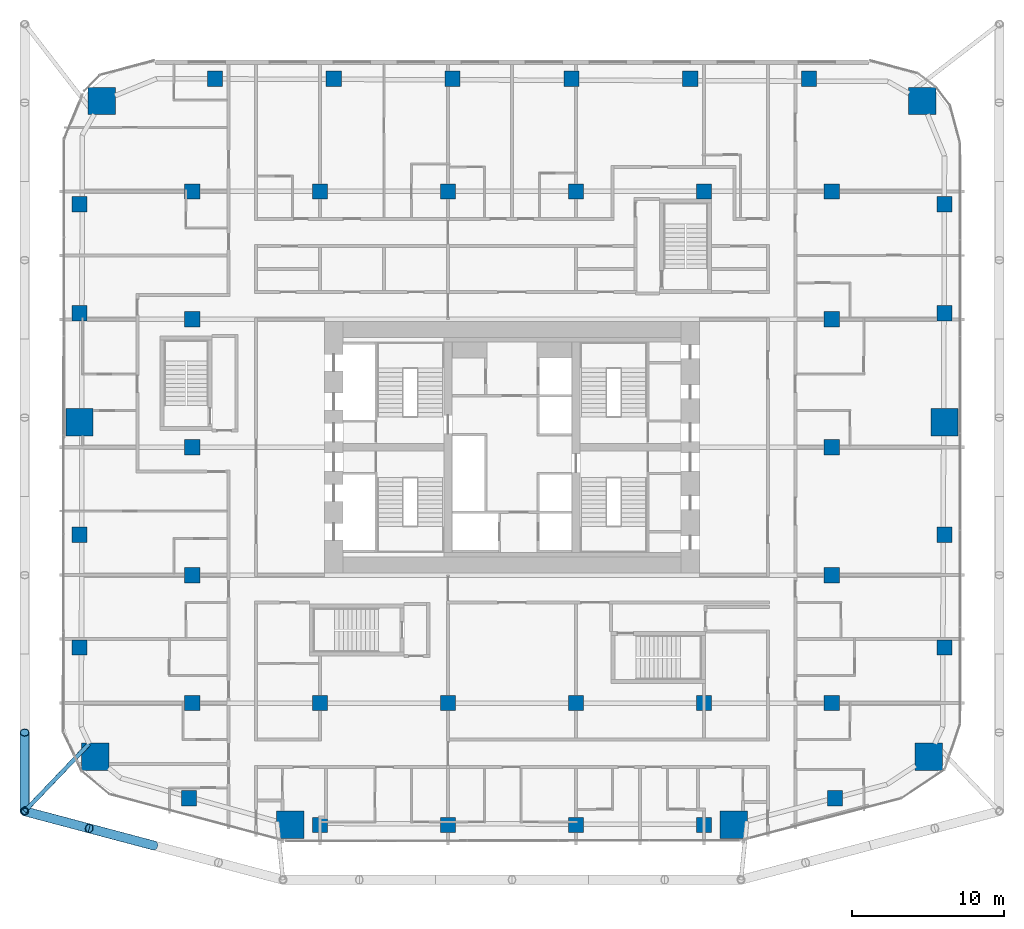
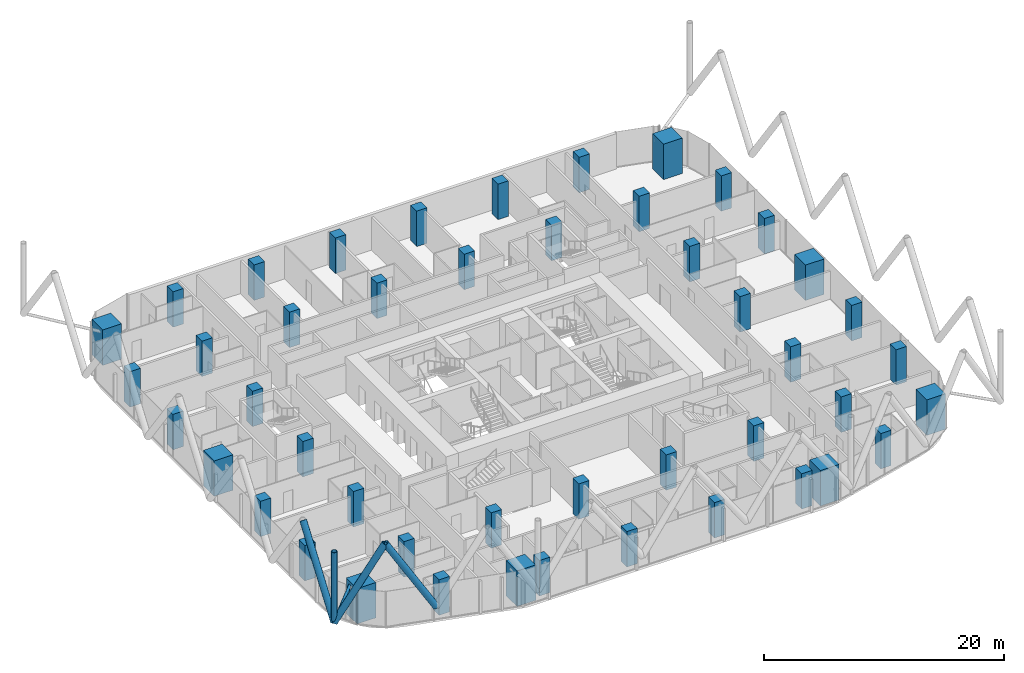
# One storey, part 1 of 34: 46 columns, 5 members.
"""IFC4 building model written with IfcOpenShell, lengths in metres."""

from ifc_helpers import new_model, si_unit, direction, frame, origin, origin_2d, place, context, subcontext, project, spatial, rectangle, hollow_circle, extrude, material, material_profile, profile_set, type_object, element, save


model = new_model("IFC4")

# Units and contexts
model_context = context("Model", 3, precision=1e-05, world=origin(), true_north=direction((0.0, 1.0)))
body_context = subcontext(model_context, "Body", "Model", "MODEL_VIEW")
ifc_project = project(units=[si_unit("LENGTHUNIT", "METRE"), si_unit("AREAUNIT", "SQUARE_METRE"), si_unit("VOLUMEUNIT", "CUBIC_METRE"), si_unit("PLANEANGLEUNIT", "RADIAN"), si_unit("MASSUNIT", "GRAM", prefix="KILO")], contexts=[model_context])

# Site, building, storey
site_placement = place(None, origin())
site = spatial("IfcSite", under=ifc_project, at=site_placement, CompositionType="ELEMENT")
building_placement = place(site_placement, origin())
building = spatial("IfcBuilding", under=site, at=building_placement, Name="Marenta Gate Hotel Tower", CompositionType="ELEMENT")
storey_placement = place(building_placement, frame((0.0, 0.0, 76.10009765625)))
storey = spatial("IfcBuildingStorey", under=building, at=storey_placement, Name="L17", CompositionType="ELEMENT", Elevation=76.10009765625)

# Columns
ifc_material_1 = material(Name="Concrete C80", Category="concrete")
ifc_material_profile_1 = material_profile(ifc_material_1, rectangle(XDim=1.0, YDim=1.0, at=origin_2d()), Name="1000 x 1000")
ifc_profile_set_1 = profile_set([ifc_material_profile_1], Name="Concrete C80")
column_type_1 = type_object("IfcColumnType", Name="Edge column 1000 x 1000 C80", PredefinedType="COLUMN", material=ifc_profile_set_1)
for number, where, z_axis, x_axis, name in (
    (1, (-28.39990234375, -4.751953125, 0.0), (0.0, 0.0, 1.0), (1.0, 0.0, 0.0), "L17-EC-SW-W-1"),
    (2, (-28.39990234375, 2.649169921875, 0.0), (0.0, 0.0, 1.0), (1.0, 0.0, 0.0), "L17-EC-SW-W-2"),
    (3, (-28.39990234375, 17.203125, 0.0), (0.0, 0.0, 1.0), (1.0, 0.0, 0.0), "L17-EC-W-NW-1"),
    (4, (-28.39990234375, 24.3564453125, 0.0), (0.0, 0.0, 1.0), (1.0, 0.0, 0.0), "L17-EC-W-NW-2"),
    (5, (-19.5068359375, 32.60009765625, 0.0), (0.0, 0.0, 1.0), (1.0, 0.0, 0.0), "L17-EC-NW-NE-1"),
    (6, (-11.7041015625, 32.60009765625, 0.0), (0.0, 0.0, 1.0), (1.0, 0.0, 0.0), "L17-EC-NW-NE-2"),
    (7, (-3.9013671875, 32.60009765625, 0.0), (0.0, 0.0, 1.0), (1.0, 0.0, 0.0), "L17-EC-NW-NE-3"),
    (8, (3.9013671875, 32.60009765625, 0.0), (0.0, 0.0, 1.0), (1.0, 0.0, 0.0), "L17-EC-NW-NE-4"),
    (9, (11.7041015625, 32.60009765625, 0.0), (0.0, 0.0, 1.0), (1.0, 0.0, 0.0), "L17-EC-NW-NE-5"),
    (10, (19.5068359375, 32.60009765625, 0.0), (0.0, 0.0, 1.0), (1.0, 0.0, 0.0), "L17-EC-NW-NE-6"),
    (11, (28.39990234375, 24.3564453125, 0.0), (0.0, 0.0, 1.0), (1.0, 0.0, 0.0), "L17-EC-NE-E-1"),
    (12, (28.39990234375, 17.203125, 0.0), (0.0, 0.0, 1.0), (1.0, 0.0, 0.0), "L17-EC-NE-E-2"),
    (13, (28.39990234375, 2.649169921875, 0.0), (0.0, 0.0, 1.0), (1.0, 0.0, 0.0), "L17-EC-E-SE-1"),
    (14, (28.39990234375, -4.751953125, 0.0), (0.0, 0.0, 1.0), (1.0, 0.0, 0.0), "L17-EC-E-SE-2"),
    (15, (21.206787109375, -14.63916015625, 0.0), (0.0, 0.0, 1.0), (1.0, 0.0, 0.0), "L17-EC-SE-SKE-1"),
    (16, (12.60009765625, -16.39990234375, 0.0), (0.0, 0.0, 1.0), (1.0, 0.0, 0.0), "L17-EC-SKE-SKW-1"),
    (17, (4.199951171875, -16.39990234375, 0.0), (0.0, 0.0, 1.0), (1.0, 0.0, 0.0), "L17-EC-SKE-SKW-2"),
    (18, (-4.199951171875, -16.39990234375, 0.0), (0.0, 0.0, 1.0), (1.0, 0.0, 0.0), "L17-EC-SKE-SKW-3"),
    (19, (-12.60009765625, -16.39990234375, 0.0), (0.0, 0.0, 1.0), (1.0, 0.0, 0.0), "L17-EC-SKE-SKW-4"),
    (20, (-21.206787109375, -14.63916015625, 0.0), (0.0, 0.0, 1.0), (1.0, 0.0, 0.0), "L17-EC-SKW-SW-1"),
):
    element("IfcColumn", number, at=place(storey_placement, frame(where, z_axis=z_axis, x_axis=x_axis)), inside=storey, type_object=column_type_1, Name=name, PredefinedType="COLUMN", context=body_context, shape_type="SweptSolid", body=[
        extrude(rectangle(XDim=1.0, YDim=1.0, at=origin_2d()), origin(), (0.0, 0.0, 1.0), 3.599853515625),
    ])
ifc_material_2 = material(Name="Concrete C80", Category="concrete")
ifc_material_profile_2 = material_profile(ifc_material_2, rectangle(XDim=1.0, YDim=1.0, at=origin_2d()), Name="1000 x 1000")
ifc_profile_set_2 = profile_set([ifc_material_profile_2], Name="Concrete C80")
column_type_2 = type_object("IfcColumnType", Name="Interior column 1000 x 1000 C80", PredefinedType="COLUMN", material=ifc_profile_set_2)
for number, where, z_axis, x_axis, name in (
    (21, (-21.0, -8.39990234375, 0.0), (0.0, 0.0, 1.0), (1.0, 0.0, 0.0), "L17-IC-4E"),
    (22, (-21.0, 0.0, 0.0), (0.0, 0.0, 1.0), (1.0, 0.0, 0.0), "L17-IC-4F"),
    (23, (-21.0, 8.39990234375, 0.0), (0.0, 0.0, 1.0), (1.0, 0.0, 0.0), "L17-IC-4G"),
    (24, (-21.0, 16.800048828125, 0.0), (0.0, 0.0, 1.0), (1.0, 0.0, 0.0), "L17-IC-4H"),
    (25, (-21.0, 25.199951171875, 0.0), (0.0, 0.0, 1.0), (1.0, 0.0, 0.0), "L17-IC-4I"),
    (26, (-12.60009765625, -8.39990234375, 0.0), (0.0, 0.0, 1.0), (1.0, 0.0, 0.0), "L17-IC-5E"),
    (27, (-12.60009765625, 25.199951171875, 0.0), (0.0, 0.0, 1.0), (1.0, 0.0, 0.0), "L17-IC-5I"),
    (28, (-4.199951171875, -8.39990234375, 0.0), (0.0, 0.0, 1.0), (1.0, 0.0, 0.0), "L17-IC-6E"),
    (29, (-4.199951171875, 25.199951171875, 0.0), (0.0, 0.0, 1.0), (1.0, 0.0, 0.0), "L17-IC-6I"),
    (30, (4.199951171875, -8.39990234375, 0.0), (0.0, 0.0, 1.0), (1.0, 0.0, 0.0), "L17-IC-7E"),
    (31, (4.199951171875, 25.199951171875, 0.0), (0.0, 0.0, 1.0), (1.0, 0.0, 0.0), "L17-IC-7I"),
    (32, (12.60009765625, -8.39990234375, 0.0), (0.0, 0.0, 1.0), (1.0, 0.0, 0.0), "L17-IC-8E"),
    (33, (12.60009765625, 25.199951171875, 0.0), (0.0, 0.0, 1.0), (1.0, 0.0, 0.0), "L17-IC-8I"),
    (34, (21.0, -8.39990234375, 0.0), (0.0, 0.0, 1.0), (1.0, 0.0, 0.0), "L17-IC-9E"),
    (35, (21.0, 0.0, 0.0), (0.0, 0.0, 1.0), (1.0, 0.0, 0.0), "L17-IC-9F"),
    (36, (21.0, 8.39990234375, 0.0), (0.0, 0.0, 1.0), (1.0, 0.0, 0.0), "L17-IC-9G"),
    (37, (21.0, 16.800048828125, 0.0), (0.0, 0.0, 1.0), (1.0, 0.0, 0.0), "L17-IC-9H"),
    (38, (21.0, 25.199951171875, 0.0), (0.0, 0.0, 1.0), (1.0, 0.0, 0.0), "L17-IC-9I"),
):
    element("IfcColumn", number, at=place(storey_placement, frame(where, z_axis=z_axis, x_axis=x_axis)), inside=storey, type_object=column_type_2, Name=name, PredefinedType="COLUMN", context=body_context, shape_type="SweptSolid", body=[
        extrude(rectangle(XDim=1.0, YDim=1.0, at=origin_2d()), origin(), (0.0, 0.0, 1.0), 3.599853515625),
    ])
ifc_material_3 = material(Name="Concrete C80", Category="concrete")
ifc_material_profile_3 = material_profile(ifc_material_3, rectangle(XDim=1.800048828125, YDim=1.800048828125, at=origin_2d()), Name="1800 x 1800")
ifc_profile_set_3 = profile_set([ifc_material_profile_3], Name="Concrete C80")
column_type_3 = type_object("IfcColumnType", Name="Mega column 1800 x 1800 C80", PredefinedType="COLUMN", material=ifc_profile_set_3)
for number, where, z_axis, x_axis, name in (
    (39, (-27.363037109375, -11.93310546875, 0.0), (0.0, 0.0, 1.0), (1.0, 0.0, 0.0), "L17-MC-SW"),
    (40, (-14.56640625, -16.374755859375, 0.0), (0.0, 0.0, 1.0), (1.0, 0.0, 0.0), "L17-MC-SKW"),
    (41, (14.56640625, -16.374755859375, 0.0), (0.0, 0.0, 1.0), (1.0, 0.0, 0.0), "L17-MC-SKE"),
    (42, (27.363037109375, -11.93310546875, 0.0), (0.0, 0.0, 1.0), (1.0, 0.0, 0.0), "L17-MC-SE"),
    (43, (28.39990234375, 10.050048828125, 0.0), (0.0, 0.0, 1.0), (1.0, 0.0, 0.0), "L17-MC-E"),
    (44, (26.935546875, 31.135498046875, 0.0), (0.0, 0.0, 1.0), (1.0, 0.0, 0.0), "L17-MC-NE"),
    (45, (-26.935546875, 31.135498046875, 0.0), (0.0, 0.0, 1.0), (1.0, 0.0, 0.0), "L17-MC-NW"),
    (46, (-28.39990234375, 10.050048828125, 0.0), (0.0, 0.0, 1.0), (1.0, 0.0, 0.0), "L17-MC-W"),
):
    element("IfcColumn", number, at=place(storey_placement, frame(where, z_axis=z_axis, x_axis=x_axis)), inside=storey, type_object=column_type_3, Name=name, PredefinedType="COLUMN", context=body_context, shape_type="SweptSolid", body=[
        extrude(rectangle(XDim=1.800048828125, YDim=1.800048828125, at=origin_2d()), origin(), (0.0, 0.0, 1.0), 3.599853515625),
    ])

# Members
ifc_material_4 = material(Name="Steel S355J2W", Category="steel")
ifc_material_profile_4 = material_profile(ifc_material_4, hollow_circle(Radius=0.25390625, WallThickness=0.0400390625, at=origin_2d()), Name="CHS 508x40")
ifc_profile_set_4 = profile_set([ifc_material_profile_4], Name="Steel S355J2W")
member_type_1 = type_object("IfcMemberType", Name="Diagrid corner post Z1 CHS 508x40", PredefinedType="POST", material=ifc_profile_set_4)
member_1_placement = place(storey_placement, frame((-32.0, -15.500244140625, 3.139892578125), z_axis=(0.0, 0.0, 1.0), x_axis=(1.0, 0.0, 0.0)))
element("IfcMember", 47, at=member_1_placement, inside=storey, type_object=member_type_1, Name="L17-DR-5", PredefinedType="POST", context=body_context, shape_type="SweptSolid", body=[
    extrude(hollow_circle(Radius=0.25390625, WallThickness=0.0400390625, at=origin_2d()), origin(), (0.0, 0.0, 1.0), 7.199951171875),
])
ifc_material_5 = material(Name="Steel S355J2W", Category="steel")
ifc_material_profile_5 = material_profile(ifc_material_5, hollow_circle(Radius=0.304931640625, WallThickness=0.0400390625, at=origin_2d()), Name="CHS 610x40")
ifc_profile_set_5 = profile_set([ifc_material_profile_5], Name="Steel S355J2W")
member_type_2 = type_object("IfcMemberType", Name="Diagrid diagonal Z1 CHS 610x40", PredefinedType="BRACE", material=ifc_profile_set_5)
for number, where, z_axis, x_axis, name in (
    (48, (-23.51953125, -17.75, 3.139892578125), (-0.502924018666, 0.133433548941, 0.853968921838), (-0.256443187528, -0.96655930577, 0.0), "L17-DG-23"),
    (49, (-32.0, -15.500244140625, 3.139892578125), (0.502925961678, -0.133405107407, 0.853972221087), (0.256391194513, 0.966573098827, 0.0), "L17-DG-24"),
):
    element("IfcMember", number, at=place(storey_placement, frame(where, z_axis=z_axis, x_axis=x_axis)), inside=storey, type_object=member_type_2, Name=name, PredefinedType="BRACE", context=body_context, shape_type="SweptSolid", body=[
        extrude(hollow_circle(Radius=0.304931640625, WallThickness=0.0400390625, at=origin_2d()), origin(), (0.0, 0.0, 1.0), 8.43115234375),
    ])
member_2_placement = place(storey_placement, frame((-32.0, -15.500244140625, 3.139892578125), z_axis=(0.0, 0.583279014058, 0.812271870595), x_axis=(-1.0, 0.0, 0.0)))
element("IfcMember", 50, at=member_2_placement, inside=storey, type_object=member_type_2, Name="L17-DG-25", PredefinedType="BRACE", context=body_context, shape_type="SweptSolid", body=[
    extrude(hollow_circle(Radius=0.304931640625, WallThickness=0.0400390625, at=origin_2d()), origin(), (0.0, 0.0, 1.0), 8.864013671875),
])
ifc_material_6 = material(Name="Steel S355J2W", Category="steel")
ifc_material_profile_6 = material_profile(ifc_material_6, hollow_circle(Radius=0.136474609375, WallThickness=0.012451171875, at=origin_2d()), Name="CHS 273x12.5")
ifc_profile_set_6 = profile_set([ifc_material_profile_6], Name="Steel S355J2W")
member_type_3 = type_object("IfcMemberType", Name="Floor tie CHS 273x12.5", PredefinedType="STRUT", material=ifc_profile_set_6)
member_3_placement = place(storey_placement, frame((-32.0, -15.500244140625, 3.139892578125), z_axis=(0.691351135911, 0.722518931845, 0.0), x_axis=(-0.722518931845, 0.691351135911, 0.0)))
element("IfcMember", 51, at=member_3_placement, inside=storey, type_object=member_type_3, Name="L17-DR-11", PredefinedType="STRUT", context=body_context, shape_type="SweptSolid", body=[
    extrude(hollow_circle(Radius=0.136474609375, WallThickness=0.012451171875, at=origin_2d()), origin(), (0.0, 0.0, 1.0), 6.12548828125),
])

save(model, "model.ifc")
